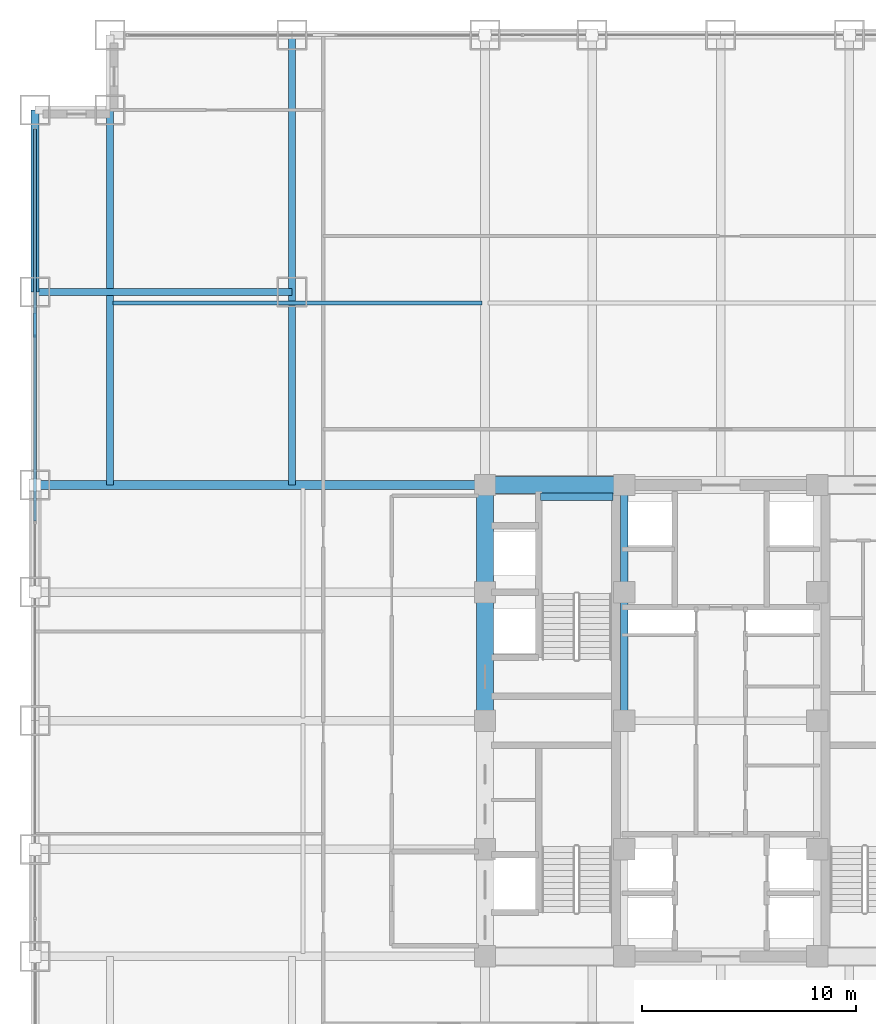
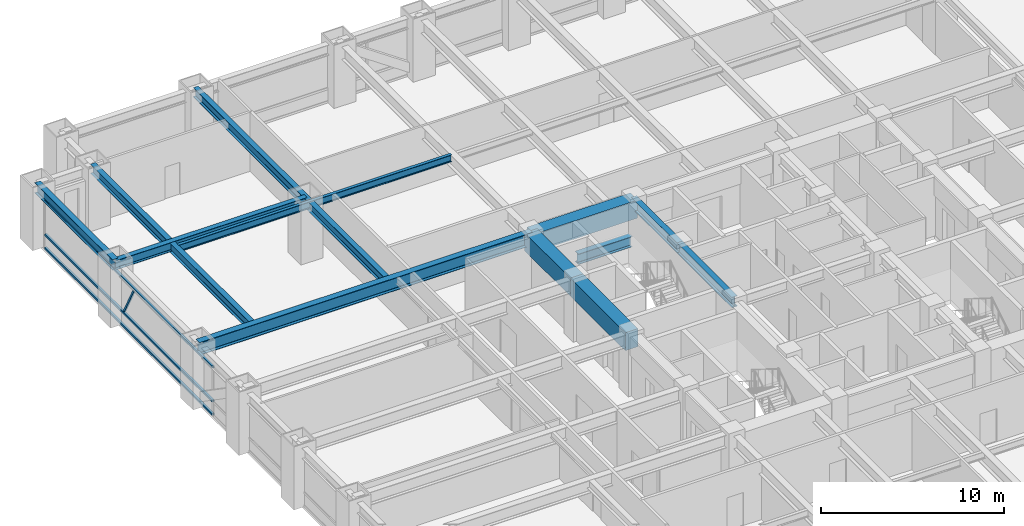
# One storey, part 13 of 27: 12 beams, 4 members, 1 element without a shape of its own.
"""IFC4 building model written with IfcOpenShell, lengths in metres."""

from ifc_helpers import new_model, si_unit, direction, frame, origin, origin_2d, place, context, subcontext, project, spatial, rectangle, hollow_rectangle, i_section, extrude, source, transform, mapped, material, material_profile, profile_set, type_object, element, aggregate, save


model = new_model("IFC4")

# Units and contexts
model_context = context("Model", 3, precision=1e-05, world=origin(), true_north=direction((0.0, 1.0)))
body_context = subcontext(model_context, "Body", "Model", "MODEL_VIEW")
ifc_project = project(units=[si_unit("LENGTHUNIT", "METRE"), si_unit("AREAUNIT", "SQUARE_METRE"), si_unit("VOLUMEUNIT", "CUBIC_METRE"), si_unit("PLANEANGLEUNIT", "RADIAN"), si_unit("MASSUNIT", "GRAM", prefix="KILO")], contexts=[model_context])

# Site, building, storey
site_placement = place(None, origin())
site = spatial("IfcSite", under=ifc_project, at=site_placement, CompositionType="ELEMENT")
building_placement = place(site_placement, origin())
building = spatial("IfcBuilding", under=site, at=building_placement, Name="Khorayat Bourse Tower", CompositionType="ELEMENT")
storey_placement = place(building_placement, frame((0.0, 0.0, 49.39990234375)))
storey = spatial("IfcBuildingStorey", under=building, at=storey_placement, Name="L10", CompositionType="ELEMENT", Elevation=49.39990234375)

# Beams
ifc_material_1 = material(Name="Concrete C72/90", Category="concrete")
ifc_material_profile_1 = material_profile(ifc_material_1, rectangle(XDim=0.800048828125, YDim=1.199951171875, at=origin_2d()), Name="RC 800x1200")
ifc_profile_set_1 = profile_set([ifc_material_profile_1], Name="Concrete C72/90")
beam_type_1 = type_object("IfcBeamType", Name="BM-COUP-1200", PredefinedType="BEAM", material=ifc_profile_set_1)
shared_shape_1 = source(origin(), body_context, "Body", "SweptSolid", [
    extrude(rectangle(XDim=0.800048828125, YDim=1.199951171875, at=origin_2d()), origin(), (0.0, 0.0, 1.0), 5.0),
])
beam_1_placement = place(storey_placement, frame((-11.0, 6.0, 3.340087890625), z_axis=(0.0, 1.0, 0.0), x_axis=(-1.0, 0.0, 0.0)))
element("IfcBeam", 1, at=beam_1_placement, inside=storey, type_object=beam_type_1, Name="L10 BM-COUP-1200 BM-L10-CRX-04", PredefinedType="BEAM", context=body_context, shape_type="MappedRepresentation", body=[
    mapped(shared_shape_1, transform((0.0, 0.0, 0.0), scale=1.0)),
])
shared_shape_2 = source(origin(), body_context, "Body", "SweptSolid", [
    extrude(rectangle(XDim=0.800048828125, YDim=1.199951171875, at=origin_2d()), origin(), (0.0, 0.0, 1.0), 6.0),
])
beam_2_placement = place(storey_placement, frame((-11.0, 0.0, 3.340087890625), z_axis=(0.0, 1.0, 0.0), x_axis=(-1.0, 0.0, 0.0)))
element("IfcBeam", 2, at=beam_2_placement, inside=storey, type_object=beam_type_1, Name="L10 BM-COUP-1200 BM-L10-CRX-03", PredefinedType="BEAM", context=body_context, shape_type="MappedRepresentation", body=[
    mapped(shared_shape_2, transform((0.0, 0.0, 0.0), scale=1.0)),
])
ifc_material_2 = material(Name="Steel ASTM A992 Grade 50", Category="steel")
ifc_material_profile_2 = material_profile(ifc_material_2, i_section(OverallWidth=0.35498046875, OverallDepth=0.695068359375, WebThickness=0.015380859375, FlangeThickness=0.02490234375, FilletRadius=0.01806640625, at=origin_2d()), Name="W690X217")
ifc_profile_set_2 = profile_set([ifc_material_profile_2], Name="Steel ASTM A992 Grade 50")
beam_type_2 = type_object("IfcBeamType", Name="BM-GIRD-690", PredefinedType="BEAM", material=ifc_profile_set_2)
shared_shape_3 = source(origin(), body_context, "Body", "SweptSolid", [
    extrude(i_section(OverallWidth=0.35498046875, OverallDepth=0.695068359375, WebThickness=0.015380859375, FlangeThickness=0.02490234375, FilletRadius=0.01806640625, at=origin_2d()), origin(), (0.0, 0.0, 1.0), 5.0),
])
beam_3_placement = place(storey_placement, frame((-4.5, 6.0, 3.592529296875), z_axis=(0.0, 1.0, 0.0), x_axis=(-1.0, 0.0, 0.0)))
element("IfcBeam", 3, at=beam_3_placement, inside=storey, type_object=beam_type_2, Name="L10 BM-GIRD-690 BM-L10-CRX-08", PredefinedType="BEAM", context=body_context, shape_type="MappedRepresentation", body=[
    mapped(shared_shape_3, transform((0.0, 0.0, 0.0), scale=1.0)),
])
shared_shape_4 = source(origin(), body_context, "Body", "SweptSolid", [
    extrude(i_section(OverallWidth=0.35498046875, OverallDepth=0.695068359375, WebThickness=0.015380859375, FlangeThickness=0.02490234375, FilletRadius=0.01806640625, at=origin_2d()), origin(), (0.0, 0.0, 1.0), 6.0),
])
beam_4_placement = place(storey_placement, frame((-4.5, 0.0, 3.592529296875), z_axis=(0.0, 1.0, 0.0), x_axis=(-1.0, 0.0, 0.0)))
element("IfcBeam", 4, at=beam_4_placement, inside=storey, type_object=beam_type_2, Name="L10 BM-GIRD-690 BM-L10-CRX-07", PredefinedType="BEAM", context=body_context, shape_type="MappedRepresentation", body=[
    mapped(shared_shape_4, transform((0.0, 0.0, 0.0), scale=1.0)),
])
shared_shape_5 = source(origin(), body_context, "Body", "SweptSolid", [
    extrude(rectangle(XDim=0.800048828125, YDim=1.199951171875, at=origin_2d()), origin(), (0.0, 0.0, 1.0), 6.5),
])
beam_5_placement = place(storey_placement, frame((-11.0, 11.0, 3.340087890625), z_axis=(1.0, 0.0, 0.0), x_axis=(0.0, 1.0, 0.0)))
element("IfcBeam", 5, at=beam_5_placement, inside=storey, type_object=beam_type_1, Name="L10 BM-COUP-1200 BM-L10-CRY-20", PredefinedType="BEAM", context=body_context, shape_type="MappedRepresentation", body=[
    mapped(shared_shape_5, transform((0.0, 0.0, 0.0), scale=1.0)),
])
shared_shape_6 = source(origin(), body_context, "Body", "SweptSolid", [
    extrude(i_section(OverallWidth=0.35498046875, OverallDepth=0.695068359375, WebThickness=0.015380859375, FlangeThickness=0.02490234375, FilletRadius=0.01806640625, at=origin_2d()), origin(), (0.0, 0.0, 1.0), 3.39990234375),
])
beam_6_placement = place(storey_placement, frame((-8.419921875, 10.449951171875, 1.552490234375), z_axis=(1.0, 0.0, 0.0), x_axis=(0.0, 1.0, 0.0)))
element("IfcBeam", 6, at=beam_6_placement, inside=storey, type_object=beam_type_2, Name="L10 BM-GIRD-690 BM-L10-ST2L", PredefinedType="BEAM", context=body_context, shape_type="MappedRepresentation", body=[
    mapped(shared_shape_6, transform((0.0, 0.0, 0.0), scale=1.0)),
])
ifc_material_profile_3 = material_profile(ifc_material_2, i_section(OverallWidth=0.35498046875, OverallDepth=0.695068359375, WebThickness=0.015380859375, FlangeThickness=0.02490234375, FilletRadius=0.01806640625, at=origin_2d()), Name="W690X217")
ifc_profile_set_3 = profile_set([ifc_material_profile_3], Name="Steel ASTM A992 Grade 50")
beam_type_3 = type_object("IfcBeamType", Name="BM-SPAN-690", PredefinedType="SPANDREL", material=ifc_profile_set_3)
shared_shape_7 = source(origin(), body_context, "Body", "SweptSolid", [
    extrude(i_section(OverallWidth=0.35498046875, OverallDepth=0.695068359375, WebThickness=0.015380859375, FlangeThickness=0.02490234375, FilletRadius=0.01806640625, at=origin_2d()), origin(), (0.0, 0.0, 1.0), 8.5),
])
beam_7_placement = place(storey_placement, frame((-32.0, 20.0, 3.592529296875), z_axis=(0.0, 1.0, 0.0), x_axis=(-1.0, 0.0, 0.0)))
element("IfcBeam", 7, at=beam_7_placement, inside=storey, type_object=beam_type_3, Name="L10 BM-SPAN-690 BM-L10-SPN-054", PredefinedType="SPANDREL", context=body_context, shape_type="MappedRepresentation", body=[
    mapped(shared_shape_7, transform((0.0, 0.0, 0.0), scale=1.0)),
])
ifc_material_profile_4 = material_profile(ifc_material_2, i_section(OverallWidth=0.39990234375, OverallDepth=0.85498046875, WebThickness=0.018310546875, FlangeThickness=0.029296875, FilletRadius=0.02001953125, at=origin_2d()), Name="W840X299")
ifc_profile_set_4 = profile_set([ifc_material_profile_4], Name="Steel ASTM A992 Grade 50")
beam_type_4 = type_object("IfcBeamType", Name="BM-GIRD-840", PredefinedType="BEAM", material=ifc_profile_set_4)
shared_shape_8 = source(origin(), body_context, "Body", "SweptSolid", [
    extrude(i_section(OverallWidth=0.39990234375, OverallDepth=0.85498046875, WebThickness=0.018310546875, FlangeThickness=0.029296875, FilletRadius=0.02001953125, at=origin_2d()), origin(), (0.0, 0.0, 1.0), 21.0),
])
beam_8_placement = place(storey_placement, frame((-32.0, 11.0, 3.5126953125), z_axis=(1.0, 0.0, 0.0), x_axis=(0.0, 1.0, 0.0)))
element("IfcBeam", 8, at=beam_8_placement, inside=storey, type_object=beam_type_4, Name="L10 BM-GIRD-840 BM-L10-RADX-083", PredefinedType="BEAM", context=body_context, shape_type="MappedRepresentation", body=[
    mapped(shared_shape_8, transform((0.0, 0.0, 0.0), scale=1.0)),
])
ifc_material_profile_5 = material_profile(ifc_material_2, i_section(OverallWidth=0.324951171875, OverallDepth=0.615966796875, WebThickness=0.013916015625, FlangeThickness=0.021484375, FilletRadius=0.01611328125, at=origin_2d()), Name="W610X174")
ifc_profile_set_5 = profile_set([ifc_material_profile_5], Name="Steel ASTM A992 Grade 50")
beam_type_5 = type_object("IfcBeamType", Name="BM-GIRD-610", PredefinedType="BEAM", material=ifc_profile_set_5)
shared_shape_9 = source(origin(), body_context, "Body", "SweptSolid", [
    extrude(i_section(OverallWidth=0.324951171875, OverallDepth=0.615966796875, WebThickness=0.013916015625, FlangeThickness=0.021484375, FilletRadius=0.01611328125, at=origin_2d()), origin(), (0.0, 0.0, 1.0), 21.0),
])
beam_9_placement = place(storey_placement, frame((-20.0, 11.0, 3.632080078125), z_axis=(0.0, 1.0, 0.0), x_axis=(-1.0, 0.0, 0.0)))
element("IfcBeam", 9, at=beam_9_placement, inside=storey, type_object=beam_type_5, Name="L10 BM-GIRD-610 BM-L10-CNRY-085", PredefinedType="BEAM", context=body_context, shape_type="MappedRepresentation", body=[
    mapped(shared_shape_9, transform((0.0, 0.0, 0.0), scale=1.0)),
])
shared_shape_10 = source(origin(), body_context, "Body", "SweptSolid", [
    extrude(i_section(OverallWidth=0.324951171875, OverallDepth=0.615966796875, WebThickness=0.013916015625, FlangeThickness=0.021484375, FilletRadius=0.01611328125, at=origin_2d()), origin(), (0.0, 0.0, 1.0), 17.5),
])
beam_10_placement = place(storey_placement, frame((-28.5, 11.0, 3.632080078125), z_axis=(0.0, 1.0, 0.0), x_axis=(-1.0, 0.0, 0.0)))
element("IfcBeam", 10, at=beam_10_placement, inside=storey, type_object=beam_type_5, Name="L10 BM-GIRD-610 BM-L10-CNRY-089", PredefinedType="BEAM", context=body_context, shape_type="MappedRepresentation", body=[
    mapped(shared_shape_10, transform((0.0, 0.0, 0.0), scale=1.0)),
])
shared_shape_11 = source(origin(), body_context, "Body", "SweptSolid", [
    extrude(i_section(OverallWidth=0.324951171875, OverallDepth=0.615966796875, WebThickness=0.013916015625, FlangeThickness=0.021484375, FilletRadius=0.01611328125, at=origin_2d()), origin(), (0.0, 0.0, 1.0), 12.0),
])
beam_11_placement = place(storey_placement, frame((-32.0, 20.0, 3.632080078125), z_axis=(1.0, 0.0, 0.0), x_axis=(0.0, 1.0, 0.0)))
element("IfcBeam", 11, at=beam_11_placement, inside=storey, type_object=beam_type_5, Name="L10 BM-GIRD-610 BM-L10-CNRX-095", PredefinedType="BEAM", context=body_context, shape_type="MappedRepresentation", body=[
    mapped(shared_shape_11, transform((0.0, 0.0, 0.0), scale=1.0)),
])
ifc_material_profile_6 = material_profile(ifc_material_2, i_section(OverallWidth=0.194091796875, OverallDepth=0.468994140625, WebThickness=0.0126953125, FlangeThickness=0.0205078125, FilletRadius=0.012939453125, at=origin_2d()), Name="W460X106")
ifc_profile_set_6 = profile_set([ifc_material_profile_6], Name="Steel ASTM A992 Grade 50")
beam_type_6 = type_object("IfcBeamType", Name="BM-JOIST-460", PredefinedType="JOIST", material=ifc_profile_set_6)
shared_shape_12 = source(origin(), body_context, "Body", "SweptSolid", [
    extrude(i_section(OverallWidth=0.194091796875, OverallDepth=0.468994140625, WebThickness=0.0126953125, FlangeThickness=0.0205078125, FilletRadius=0.012939453125, at=origin_2d()), origin(), (0.0, 0.0, 1.0), 17.240234375),
])
beam_12_placement = place(storey_placement, frame((-28.3701171875, 19.5, 3.70556640625), z_axis=(1.0, 0.0, 0.0), x_axis=(0.0, 1.0, 0.0)))
element("IfcBeam", 12, at=beam_12_placement, inside=storey, type_object=beam_type_6, Name="L10 BM-JOIST-460 BM-L10-JSTX-099", PredefinedType="JOIST", context=body_context, shape_type="MappedRepresentation", body=[
    mapped(shared_shape_12, transform((0.0, 0.0, 0.0), scale=1.0)),
])

# Curtain wall, members
ifc_material_3 = material(Name="Aluminium EN AW-6063 T6", Category="aluminium")
curtain_wall_type = type_object("IfcCurtainWallType", Name="CW-SYS-02", PredefinedType="NOTDEFINED", material=ifc_material_3)
curtain_wall_placement = place(storey_placement, origin())
curtain_wall = element("IfcCurtainWall", 13, at=curtain_wall_placement, inside=storey, type_object=curtain_wall_type, Name="L10 Curtain Wall CW-L10-W1", PredefinedType="NOTDEFINED")
ifc_material_profile_7 = material_profile(ifc_material_3, hollow_rectangle(XDim=0.139892578125, YDim=0.139892578125, WallThickness=0.006103515625, at=origin_2d()), Name="ALU 140x140x6")
ifc_profile_set_7 = profile_set([ifc_material_profile_7], Name="Aluminium EN AW-6063 T6")
member_type_1 = type_object("IfcMemberType", Name="CWT-HORZ-140", PredefinedType="USERDEFINED", material=ifc_profile_set_7)
shared_shape_13 = source(origin(), body_context, "Body", "SweptSolid", [
    extrude(hollow_rectangle(XDim=0.139892578125, YDim=0.139892578125, WallThickness=0.006103515625, at=origin_2d()), origin(), (0.0, 0.0, 1.0), 18.2900390625),
])
member_1_placement = place(storey_placement, frame((-32.0, 9.320068359375, 0.070068359375), z_axis=(0.0, 1.0, 0.0), x_axis=(-1.0, 0.0, 0.0)))
member_1 = element("IfcMember", 14, at=member_1_placement, type_object=member_type_1, Name="CW-L10-W1 Horizontal Transom 3-1", ObjectType="TRANSOM", PredefinedType="USERDEFINED", context=body_context, shape_type="MappedRepresentation", body=[
    mapped(shared_shape_13, transform((0.0, 0.0, 0.0), scale=1.0)),
])
member_2_placement = place(storey_placement, frame((-32.0, 9.320068359375, 0.9501953125), z_axis=(0.0, 1.0, 0.0), x_axis=(-1.0, 0.0, 0.0)))
member_2 = element("IfcMember", 15, at=member_2_placement, type_object=member_type_1, Name="CW-L10-W1 Horizontal Transom 3-2", ObjectType="TRANSOM", PredefinedType="USERDEFINED", context=body_context, shape_type="MappedRepresentation", body=[
    mapped(shared_shape_13, transform((0.0, 0.0, 0.0), scale=1.0)),
])
member_3_placement = place(storey_placement, frame((-32.0, 9.320068359375, 3.22021484375), z_axis=(0.0, 1.0, 0.0), x_axis=(-1.0, 0.0, 0.0)))
member_3 = element("IfcMember", 16, at=member_3_placement, type_object=member_type_1, Name="CW-L10-W1 Horizontal Transom 3-3", ObjectType="TRANSOM", PredefinedType="USERDEFINED", context=body_context, shape_type="MappedRepresentation", body=[
    mapped(shared_shape_13, transform((0.0, 0.0, 0.0), scale=1.0)),
])
ifc_material_profile_8 = material_profile(ifc_material_3, hollow_rectangle(XDim=0.1201171875, YDim=0.1201171875, WallThickness=0.0048828125, at=origin_2d()), Name="ALU 120x120x5")
ifc_profile_set_8 = profile_set([ifc_material_profile_8], Name="Aluminium EN AW-6063 T6")
member_type_2 = type_object("IfcMemberType", Name="CWM-DIAG-120", PredefinedType="MULLION", material=ifc_profile_set_8)
shared_shape_14 = source(origin(), body_context, "Body", "SweptSolid", [
    extrude(hollow_rectangle(XDim=0.1201171875, YDim=0.1201171875, WallThickness=0.0048828125, at=origin_2d()), origin(), (0.0, 0.0, 1.0), 2.22607421875),
])
member_4_placement = place(storey_placement, frame((-32.0, 18.9833984375, 1.10009765625), z_axis=(0.0, -0.465759992596, 0.884911085532), x_axis=(1.0, 0.0, 0.0)))
member_4 = element("IfcMember", 17, at=member_4_placement, type_object=member_type_2, Name="CW-L10-W1 Faceted Diagonal Mullion 3", PredefinedType="MULLION", context=body_context, shape_type="MappedRepresentation", body=[
    mapped(shared_shape_14, transform((0.0, 0.0, 0.0), scale=1.0)),
])
aggregate(curtain_wall, [member_1, member_2, member_3, member_4])

save(model, "model.ifc")
